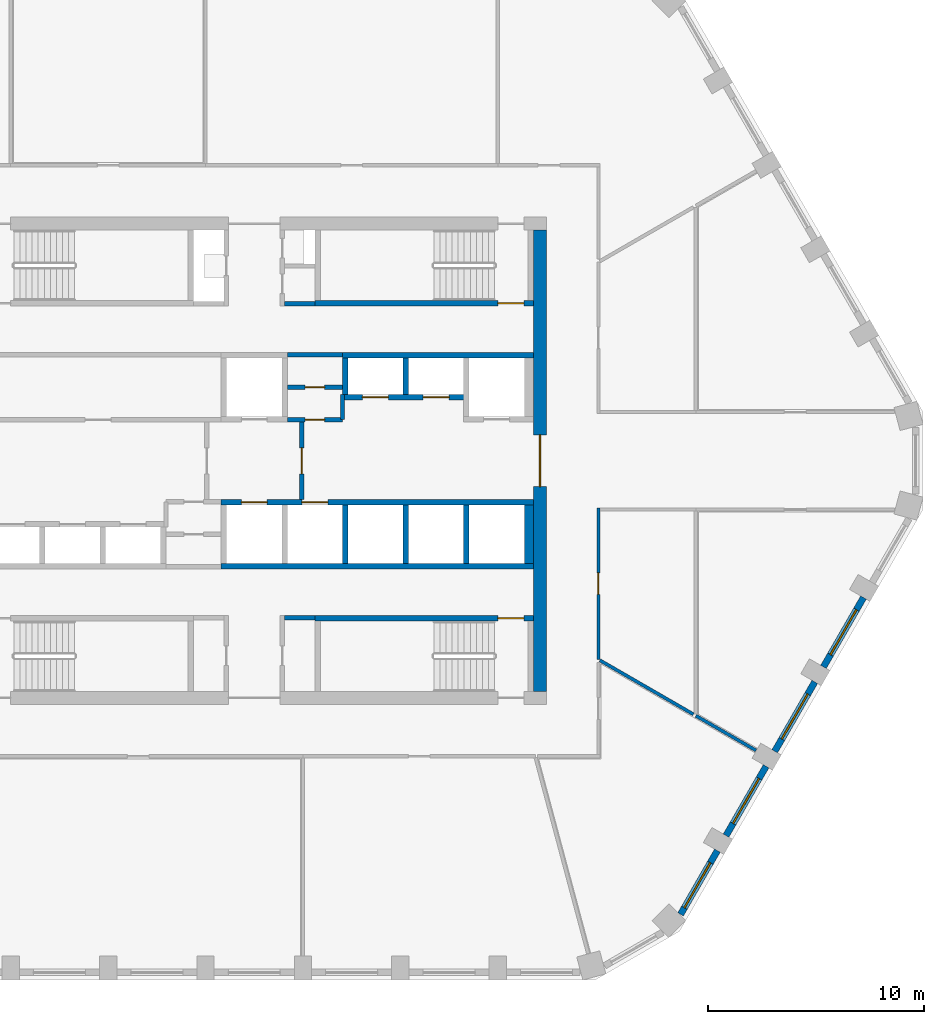
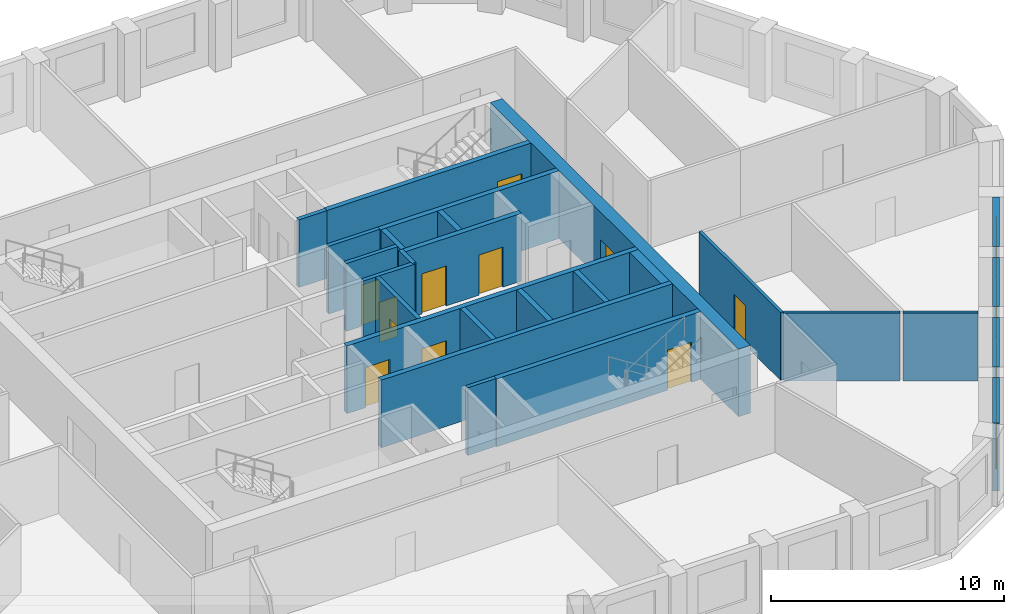
# One storey, part 4 of 11: 27 walls, 11 doors, 4 windows, 15 openings.
"""IFC4 building model written with IfcOpenShell, lengths in metres."""

from ifc_helpers import new_model, si_unit, direction, frame, frame_2d, origin, place, context, subcontext, project, spatial, polyline, rectangle, outline, extrude, material, layer, layer_set, type_object, element, fill, save


model = new_model("IFC4")

# Units and contexts
model_context = context("Model", 3, precision=1e-05, world=origin(), true_north=direction((0.0, 1.0)))
body_context = subcontext(model_context, "Body", "Model", "MODEL_VIEW")
ifc_project = project(units=[si_unit("LENGTHUNIT", "METRE"), si_unit("AREAUNIT", "SQUARE_METRE"), si_unit("VOLUMEUNIT", "CUBIC_METRE"), si_unit("PLANEANGLEUNIT", "RADIAN"), si_unit("MASSUNIT", "GRAM", prefix="KILO")], contexts=[model_context])

# Site, building, storey
site_placement = place(None, origin())
site = spatial("IfcSite", under=ifc_project, at=site_placement, CompositionType="ELEMENT")
building_placement = place(site_placement, origin())
building = spatial("IfcBuilding", under=site, at=building_placement, Name="Dhurran Vertical Campus", CompositionType="ELEMENT")
storey_placement = place(building_placement, frame((0.0, 0.0, 215.10009765625)))
storey = spatial("IfcBuildingStorey", under=building, at=storey_placement, Name="L53", CompositionType="ELEMENT", Elevation=215.10009765625)

# Wall, opening, window
ifc_material_1 = material(Name="Precast concrete C50/60", Category="concrete")
ifc_layer_1 = layer(ifc_material_1, 0.300048828125)
ifc_layer_set_1 = layer_set([ifc_layer_1], Name="Precast concrete C50/60")
wall_type_1 = type_object("IfcWallType", Name="Precast spandrel wall 300", PredefinedType="SOLIDWALL", material=ifc_layer_set_1)
wall_1_placement = place(storey_placement, frame((19.69580078125, -20.951171875, 0.0), z_axis=(0.0, 0.0, 1.0), x_axis=(0.500012868213, 0.866017974191, 0.0)))
wall_1 = element("IfcWall", 1, at=wall_1_placement, inside=storey, type_object=wall_type_1, Name="EW1 L53.08", PredefinedType="SOLIDWALL", context=body_context, shape_type="SweptSolid", body=[
    extrude(rectangle(XDim=3.39599609375, YDim=0.300048828125, at=frame_2d((1.697998046875, 0.0))), origin(), (0.0, 0.0, 1.0), 3.5498046875),
])
opening_1_placement = place(wall_1_placement, frame((0.346435546875, 0.0, 0.89990234375)))
opening_1 = element("IfcOpeningElement", 2, at=opening_1_placement, cuts=wall_1, Name="Opening WT1", PredefinedType="OPENING", context=body_context, shape_type="SweptSolid", body=[
    extrude(rectangle(XDim=2.39990234375, YDim=2.10009765625, at=frame_2d((1.199951171875, 1.050048828125))), frame((0.0, 0.159912109375, 0.0), z_axis=(0.0, -1.0, 0.0), x_axis=(1.0, 0.0, 0.0)), (0.0, 0.0, 1.0), 0.320068359375),
])
ifc_material_2 = material(Name="Aluminium frame with solar-control glass", Category="aluminium")
window_type = type_object("IfcWindowType", Name="Punched window 2400 x 2100", PartitioningType="SINGLE_PANEL", PredefinedType="WINDOW", material=ifc_material_2)
window_1_placement = place(opening_1_placement, origin())
window_1 = element("IfcWindow", 3, at=window_1_placement, inside=storey, type_object=window_type, Name="WT1 L53.08", OverallHeight=2.10009765625, OverallWidth=2.39990234375, PartitioningType="SINGLE_PANEL", PredefinedType="WINDOW", context=body_context, shape_type="SweptSolid", body=[
    extrude(rectangle(XDim=2.39990234375, YDim=2.10009765625, at=frame_2d((1.199951171875, 1.050048828125))), frame((0.0, 0.030029296875, 0.0), z_axis=(0.0, -1.0, 0.0), x_axis=(1.0, 0.0, 0.0)), (0.0, 0.0, 1.0), 0.06005859375),
])
fill(opening_1, window_1)

wall_2_placement = place(storey_placement, frame((21.794189453125, -17.316650390625, 0.0), z_axis=(0.0, 0.0, 1.0), x_axis=(0.500029062817, 0.866008623709, 0.0)))
wall_2 = element("IfcWall", 4, at=wall_2_placement, inside=storey, type_object=wall_type_1, Name="EW1 L53.09", PredefinedType="SOLIDWALL", context=body_context, shape_type="SweptSolid", body=[
    extrude(rectangle(XDim=3.698974609375, YDim=0.300048828125, at=frame_2d((1.849609375, 0.0))), origin(), (0.0, 0.0, 1.0), 3.5498046875),
])
opening_2_placement = place(wall_2_placement, frame((0.6494140625, 0.0, 0.89990234375)))
opening_2 = element("IfcOpeningElement", 5, at=opening_2_placement, cuts=wall_2, Name="Opening WT1", PredefinedType="OPENING", context=body_context, shape_type="SweptSolid", body=[
    extrude(rectangle(XDim=2.39990234375, YDim=2.10009765625, at=frame_2d((1.199951171875, 1.050048828125))), frame((0.0, 0.159912109375, 0.0), z_axis=(0.0, -1.0, 0.0), x_axis=(1.0, 0.0, 0.0)), (0.0, 0.0, 1.0), 0.320068359375),
])
window_2_placement = place(opening_2_placement, origin())
window_2 = element("IfcWindow", 6, at=window_2_placement, inside=storey, type_object=window_type, Name="WT1 L53.09", OverallHeight=2.10009765625, OverallWidth=2.39990234375, PartitioningType="SINGLE_PANEL", PredefinedType="WINDOW", context=body_context, shape_type="SweptSolid", body=[
    extrude(rectangle(XDim=2.39990234375, YDim=2.10009765625, at=frame_2d((1.199951171875, 1.050048828125))), frame((0.0, 0.030029296875, 0.0), z_axis=(0.0, -1.0, 0.0), x_axis=(1.0, 0.0, 0.0)), (0.0, 0.0, 1.0), 0.06005859375),
])
fill(opening_2, window_2)

wall_3_placement = place(storey_placement, frame((24.044189453125, -13.41943359375, 0.0), z_axis=(0.0, 0.0, 1.0), x_axis=(0.500029062817, 0.866008623709, 0.0)))
wall_3 = element("IfcWall", 7, at=wall_3_placement, inside=storey, type_object=wall_type_1, Name="EW1 L53.10", PredefinedType="SOLIDWALL", context=body_context, shape_type="SweptSolid", body=[
    extrude(rectangle(XDim=3.698974609375, YDim=0.300048828125, at=frame_2d((1.849609375, 0.0))), origin(), (0.0, 0.0, 1.0), 3.5498046875),
])
opening_3_placement = place(wall_3_placement, frame((0.6494140625, 0.0, 0.89990234375)))
opening_3 = element("IfcOpeningElement", 8, at=opening_3_placement, cuts=wall_3, Name="Opening WT1", PredefinedType="OPENING", context=body_context, shape_type="SweptSolid", body=[
    extrude(rectangle(XDim=2.39990234375, YDim=2.10009765625, at=frame_2d((1.199951171875, 1.050048828125))), frame((0.0, 0.159912109375, 0.0), z_axis=(0.0, -1.0, 0.0), x_axis=(1.0, 0.0, 0.0)), (0.0, 0.0, 1.0), 0.320068359375),
])
window_3_placement = place(opening_3_placement, origin())
window_3 = element("IfcWindow", 9, at=window_3_placement, inside=storey, type_object=window_type, Name="WT1 L53.10", OverallHeight=2.10009765625, OverallWidth=2.39990234375, PartitioningType="SINGLE_PANEL", PredefinedType="WINDOW", context=body_context, shape_type="SweptSolid", body=[
    extrude(rectangle(XDim=2.39990234375, YDim=2.10009765625, at=frame_2d((1.199951171875, 1.050048828125))), frame((0.0, 0.030029296875, 0.0), z_axis=(0.0, -1.0, 0.0), x_axis=(1.0, 0.0, 0.0)), (0.0, 0.0, 1.0), 0.06005859375),
])
fill(opening_3, window_3)

wall_4_placement = place(storey_placement, frame((26.294189453125, -9.5224609375, 0.0), z_axis=(0.0, 0.0, 1.0), x_axis=(0.500029062817, 0.866008623709, 0.0)))
wall_4 = element("IfcWall", 10, at=wall_4_placement, inside=storey, type_object=wall_type_1, Name="EW1 L53.11", PredefinedType="SOLIDWALL", context=body_context, shape_type="SweptSolid", body=[
    extrude(rectangle(XDim=3.698974609375, YDim=0.300048828125, at=frame_2d((1.849609375, 0.0))), origin(), (0.0, 0.0, 1.0), 3.5498046875),
])
opening_4_placement = place(wall_4_placement, frame((0.6494140625, 0.0, 0.89990234375)))
opening_4 = element("IfcOpeningElement", 11, at=opening_4_placement, cuts=wall_4, Name="Opening WT1", PredefinedType="OPENING", context=body_context, shape_type="SweptSolid", body=[
    extrude(rectangle(XDim=2.39990234375, YDim=2.10009765625, at=frame_2d((1.199951171875, 1.050048828125))), frame((0.0, 0.159912109375, 0.0), z_axis=(0.0, -1.0, 0.0), x_axis=(1.0, 0.0, 0.0)), (0.0, 0.0, 1.0), 0.320068359375),
])
window_4_placement = place(opening_4_placement, origin())
window_4 = element("IfcWindow", 12, at=window_4_placement, inside=storey, type_object=window_type, Name="WT1 L53.11", OverallHeight=2.10009765625, OverallWidth=2.39990234375, PartitioningType="SINGLE_PANEL", PredefinedType="WINDOW", context=body_context, shape_type="SweptSolid", body=[
    extrude(rectangle(XDim=2.39990234375, YDim=2.10009765625, at=frame_2d((1.199951171875, 1.050048828125))), frame((0.0, 0.030029296875, 0.0), z_axis=(0.0, -1.0, 0.0), x_axis=(1.0, 0.0, 0.0)), (0.0, 0.0, 1.0), 0.06005859375),
])
fill(opening_4, window_4)

# Wall, opening, door
ifc_material_3 = material(Name="Concrete C50/60", Category="concrete")
ifc_layer_2 = layer(ifc_material_3, 0.60009765625)
ifc_layer_set_2 = layer_set([ifc_layer_2], Name="Concrete C50/60")
wall_type_2 = type_object("IfcWallType", Name="co-CORE-WALL-C2-600", PredefinedType="SHEAR", material=ifc_layer_set_2)
wall_5_placement = place(storey_placement, frame((13.199951171875, -10.64990234375, 0.0), z_axis=(0.0, 0.0, 1.0), x_axis=(0.0, 1.0, 0.0)))
wall_5 = element("IfcWall", 13, at=wall_5_placement, inside=storey, type_object=wall_type_2, Name="Core wall E L53", PredefinedType="SHEAR", context=body_context, shape_type="SweptSolid", body=[
    extrude(rectangle(XDim=21.2998046875, YDim=0.60009765625, at=frame_2d((10.64990234375, 0.0))), origin(), (0.0, 0.0, 1.0), 3.5498046875),
])
opening_5_placement = place(wall_5_placement, frame((9.449951171875, 0.0, 0.0)))
opening_5 = element("IfcOpeningElement", 14, at=opening_5_placement, cuts=wall_5, Name="Opening CL2", PredefinedType="OPENING", context=body_context, shape_type="SweptSolid", body=[
    extrude(rectangle(XDim=2.39990234375, YDim=2.10009765625, at=frame_2d((1.199951171875, 1.050048828125))), frame((0.0, 0.31005859375, 0.0), z_axis=(0.0, -1.0, 0.0), x_axis=(1.0, 0.0, 0.0)), (0.0, 0.0, 1.0), 0.6201171875),
])
ifc_material_4 = material(Name="Fire-rated glazed door set")
door_type_1 = type_object("IfcDoorType", Name="co-D-LOBBY 2400x2100", OperationType="DOUBLE_DOOR_DOUBLE_SWING", PredefinedType="DOOR", material=ifc_material_4)
door_1_placement = place(opening_5_placement, origin())
door_1 = element("IfcDoor", 15, at=door_1_placement, inside=storey, type_object=door_type_1, Name="Lift lobby door E L53", OperationType="DOUBLE_DOOR_DOUBLE_SWING", OverallHeight=2.10009765625, OverallWidth=2.39990234375, PredefinedType="DOOR", context=body_context, shape_type="SweptSolid", body=[
    extrude(rectangle(XDim=2.39990234375, YDim=2.10009765625, at=frame_2d((1.199951171875, 1.050048828125))), frame((0.0, 0.02490234375, 0.0), z_axis=(0.0, -1.0, 0.0), x_axis=(1.0, 0.0, 0.0)), (0.0, 0.0, 1.0), 0.050048828125),
])
fill(opening_5, door_1)

ifc_material_5 = material(Name="Fire-rated masonry blockwork", Category="masonry")
ifc_layer_3 = layer(ifc_material_5, 0.199951171875)
ifc_layer_set_3 = layer_set([ifc_layer_3], Name="Fire-rated masonry blockwork")
wall_type_3 = type_object("IfcWallType", Name="co-FIRE-PARTITION-200", PredefinedType="PARTITIONING", material=ifc_layer_set_3)
wall_6_placement = place(storey_placement, frame((2.199951171875, -1.800048828125, 0.0), z_axis=(0.0, 0.0, 1.0), x_axis=(0.0, 1.0, 0.0)))
wall_6 = element("IfcWall", 16, at=wall_6_placement, inside=storey, type_object=wall_type_3, Name="Firefighting lobby wall E L53", PredefinedType="PARTITIONING", context=body_context, shape_type="SweptSolid", body=[
    extrude(rectangle(XDim=3.60009765625, YDim=0.199951171875, at=frame_2d((1.800048828125, 0.0))), origin(), (0.0, 0.0, 1.0), 3.5498046875),
])
opening_6_placement = place(wall_6_placement, frame((1.199951171875, 0.0, 0.0)))
opening_6 = element("IfcOpeningElement", 17, at=opening_6_placement, cuts=wall_6, Name="Opening FL2", PredefinedType="OPENING", context=body_context, shape_type="SweptSolid", body=[
    extrude(rectangle(XDim=1.199951171875, YDim=2.10009765625, at=frame_2d((0.60009765625, 1.050048828125))), frame((0.0, 0.10986328125, 0.0), z_axis=(0.0, -1.0, 0.0), x_axis=(1.0, 0.0, 0.0)), (0.0, 0.0, 1.0), 0.219970703125),
])
ifc_material_6 = material(Name="Fire-rated steel door set", Category="steel")
door_type_2 = type_object("IfcDoorType", Name="co-D-FFLOBBY 1200x2100", OperationType="SINGLE_SWING_LEFT", PredefinedType="DOOR", material=ifc_material_6)
door_2_placement = place(opening_6_placement, origin())
door_2 = element("IfcDoor", 18, at=door_2_placement, inside=storey, type_object=door_type_2, Name="Firefighting lobby door E L53", OperationType="SINGLE_SWING_LEFT", OverallHeight=2.10009765625, OverallWidth=1.199951171875, PredefinedType="DOOR", context=body_context, shape_type="SweptSolid", body=[
    extrude(rectangle(XDim=1.199951171875, YDim=2.10009765625, at=frame_2d((0.60009765625, 1.050048828125))), frame((0.0, 0.02490234375, 0.0), z_axis=(0.0, -1.0, 0.0), x_axis=(1.0, 0.0, 0.0)), (0.0, 0.0, 1.0), 0.050048828125),
])
fill(opening_6, door_2)

# Walls
for number, where, z_axis, x_axis, name in (
    (19, (1.39990234375, 7.25, 0.0), (0.0, 0.0, 1.0), (1.0, 0.0, 0.0), "Core partition sl-NE-S L53"),
    (20, (1.39990234375, -7.25, 0.0), (0.0, 0.0, 1.0), (1.0, 0.0, 0.0), "Core partition sl-SE-S L53"),
):
    element("IfcWall", number, at=place(storey_placement, frame(where, z_axis=z_axis, x_axis=x_axis)), inside=storey, type_object=wall_type_3, Name=name, PredefinedType="PARTITIONING", context=body_context, shape_type="SweptSolid", body=[
        extrude(rectangle(XDim=1.400146484375, YDim=0.199951171875, at=frame_2d((0.7001953125, 0.0))), origin(), (0.0, 0.0, 1.0), 3.5498046875),
    ])

# Wall, opening, door
wall_7_placement = place(storey_placement, frame((1.52490234375, 3.39990234375, 0.0), z_axis=(0.0, 0.0, 1.0), x_axis=(1.0, 0.0, 0.0)))
wall_7 = element("IfcWall", 21, at=wall_7_placement, inside=storey, type_object=wall_type_3, Name="Core partition fr-N1-c L53", PredefinedType="PARTITIONING", context=body_context, shape_type="SweptSolid", body=[
    extrude(rectangle(XDim=2.550048828125, YDim=0.199951171875, at=frame_2d((1.27490234375, 0.0))), origin(), (0.0, 0.0, 1.0), 3.5498046875),
])
opening_7_placement = place(wall_7_placement, frame((0.824951171875, 0.0, 0.0)))
opening_7 = element("IfcOpeningElement", 22, at=opening_7_placement, cuts=wall_7, Name="Opening T15-C7", PredefinedType="OPENING", context=body_context, shape_type="SweptSolid", body=[
    extrude(rectangle(XDim=0.89990234375, YDim=2.10009765625, at=frame_2d((0.449951171875, 1.050048828125))), frame((0.0, 0.10986328125, 0.0), z_axis=(0.0, -1.0, 0.0), x_axis=(1.0, 0.0, 0.0)), (0.0, 0.0, 1.0), 0.219970703125),
])
ifc_material_7 = material(Name="Fire-rated timber door set", Category="wood")
door_type_3 = type_object("IfcDoorType", Name="co-D-ROOM 900x2100", OperationType="SINGLE_SWING_LEFT", PredefinedType="DOOR", material=ifc_material_7)
door_3_placement = place(opening_7_placement, origin())
door_3 = element("IfcDoor", 23, at=door_3_placement, inside=storey, type_object=door_type_3, Name="Communications room door L53", OperationType="SINGLE_SWING_LEFT", OverallHeight=2.10009765625, OverallWidth=0.89990234375, PredefinedType="DOOR", context=body_context, shape_type="SweptSolid", body=[
    extrude(rectangle(XDim=0.89990234375, YDim=2.10009765625, at=frame_2d((0.449951171875, 1.050048828125))), frame((0.0, 0.02490234375, 0.0), z_axis=(0.0, -1.0, 0.0), x_axis=(1.0, 0.0, 0.0)), (0.0, 0.0, 1.0), 0.050048828125),
])
fill(opening_7, door_3)

wall_8_placement = place(storey_placement, frame((1.52490234375, 1.89990234375, 0.0), z_axis=(0.0, 0.0, 1.0), x_axis=(1.0, 0.0, 0.0)))
wall_8 = element("IfcWall", 24, at=wall_8_placement, inside=storey, type_object=wall_type_3, Name="Core partition fr-N1-f L53", PredefinedType="PARTITIONING", context=body_context, shape_type="SweptSolid", body=[
    extrude(rectangle(XDim=2.550048828125, YDim=0.199951171875, at=frame_2d((1.27490234375, 0.0))), origin(), (0.0, 0.0, 1.0), 3.5498046875),
])
opening_8_placement = place(wall_8_placement, frame((0.824951171875, 0.0, 0.0)))
opening_8 = element("IfcOpeningElement", 25, at=opening_8_placement, cuts=wall_8, Name="Opening T15-C8", PredefinedType="OPENING", context=body_context, shape_type="SweptSolid", body=[
    extrude(rectangle(XDim=0.89990234375, YDim=2.10009765625, at=frame_2d((0.449951171875, 1.050048828125))), frame((0.0, 0.10986328125, 0.0), z_axis=(0.0, -1.0, 0.0), x_axis=(1.0, 0.0, 0.0)), (0.0, 0.0, 1.0), 0.219970703125),
])
door_4_placement = place(opening_8_placement, origin())
door_4 = element("IfcDoor", 26, at=door_4_placement, inside=storey, type_object=door_type_3, Name="Server room door L53", OperationType="SINGLE_SWING_LEFT", OverallHeight=2.10009765625, OverallWidth=0.89990234375, PredefinedType="DOOR", context=body_context, shape_type="SweptSolid", body=[
    extrude(rectangle(XDim=0.89990234375, YDim=2.10009765625, at=frame_2d((0.449951171875, 1.050048828125))), frame((0.0, 0.02490234375, 0.0), z_axis=(0.0, -1.0, 0.0), x_axis=(1.0, 0.0, 0.0)), (0.0, 0.0, 1.0), 0.050048828125),
])
fill(opening_8, door_4)

# Walls
wall_9_placement = place(storey_placement, frame((1.52490234375, 4.89990234375, 0.0), z_axis=(0.0, 0.0, 1.0), x_axis=(1.0, 0.0, 0.0)))
element("IfcWall", 27, at=wall_9_placement, inside=storey, type_object=wall_type_3, Name="Core partition fr-N1-b L53", PredefinedType="PARTITIONING", context=body_context, shape_type="SweptSolid", body=[
    extrude(rectangle(XDim=2.550048828125, YDim=0.199951171875, at=frame_2d((1.27490234375, 0.0))), origin(), (0.0, 0.0, 1.0), 3.5498046875),
])
wall_10_placement = place(storey_placement, frame((4.074951171875, 1.89990234375, 0.0), z_axis=(0.0, 0.0, 1.0), x_axis=(0.0, 1.0, 0.0)))
element("IfcWall", 28, at=wall_10_placement, inside=storey, type_object=wall_type_3, Name="Core partition fr-N1-n1 L53", PredefinedType="PARTITIONING", context=body_context, shape_type="SweptSolid", body=[
    extrude(rectangle(XDim=1.150146484375, YDim=0.199951171875, at=frame_2d((0.5751953125, 0.0))), origin(), (0.0, 0.0, 1.0), 3.5498046875),
])

# Wall, openings, doors
ifc_material_8 = material(Name="Concrete C50/60", Category="concrete")
ifc_layer_4 = layer(ifc_material_8, 0.25)
ifc_layer_set_4 = layer_set([ifc_layer_4], Name="Concrete C50/60")
wall_type_4 = type_object("IfcWallType", Name="co-SHAFT-FRONT-250", PredefinedType="SHEAR", material=ifc_layer_set_4)
wall_11_placement = place(storey_placement, frame((4.074951171875, 2.925048828125, 0.0), z_axis=(0.0, 0.0, 1.0), x_axis=(1.0, 0.0, 0.0)))
wall_11 = element("IfcWall", 29, at=wall_11_placement, inside=storey, type_object=wall_type_4, Name="Lift landing wall N L53", PredefinedType="SHEAR", context=body_context, shape_type="SweptSolid", body=[
    extrude(rectangle(XDim=5.85009765625, YDim=0.25, at=frame_2d((2.925048828125, 0.0))), origin(), (0.0, 0.0, 1.0), 3.5498046875),
])
opening_9_placement = place(wall_11_placement, frame((0.925048828125, 0.0, 0.0)))
opening_9 = element("IfcOpeningElement", 30, at=opening_9_placement, cuts=wall_11, Name="Opening LD", PredefinedType="OPENING", context=body_context, shape_type="SweptSolid", body=[
    extrude(rectangle(XDim=1.199951171875, YDim=2.10009765625, at=frame_2d((0.60009765625, 1.050048828125))), frame((0.0, 0.135009765625, 0.0), z_axis=(0.0, -1.0, 0.0), x_axis=(1.0, 0.0, 0.0)), (0.0, 0.0, 1.0), 0.27001953125),
])
opening_10_placement = place(wall_11_placement, frame((3.72509765625, 0.0, 0.0)))
opening_10 = element("IfcOpeningElement", 31, at=opening_10_placement, cuts=wall_11, Name="Opening LD", PredefinedType="OPENING", context=body_context, shape_type="SweptSolid", body=[
    extrude(rectangle(XDim=1.199951171875, YDim=2.10009765625, at=frame_2d((0.60009765625, 1.050048828125))), frame((0.0, 0.135009765625, 0.0), z_axis=(0.0, -1.0, 0.0), x_axis=(1.0, 0.0, 0.0)), (0.0, 0.0, 1.0), 0.27001953125),
])
ifc_material_9 = material(Name="Stainless steel landing door", Category="steel")
door_type_4 = type_object("IfcDoorType", Name="co-D-LANDING 1200x2100", OperationType="DOUBLE_DOOR_SLIDING", PredefinedType="DOOR", material=ifc_material_9)
door_5_placement = place(opening_9_placement, origin())
door_5 = element("IfcDoor", 32, at=door_5_placement, inside=storey, type_object=door_type_4, Name="Landing door MR1 L53", OperationType="DOUBLE_DOOR_SLIDING", OverallHeight=2.10009765625, OverallWidth=1.199951171875, PredefinedType="DOOR", context=body_context, shape_type="SweptSolid", body=[
    extrude(rectangle(XDim=1.199951171875, YDim=2.10009765625, at=frame_2d((0.60009765625, 1.050048828125))), frame((0.0, 0.02490234375, 0.0), z_axis=(0.0, -1.0, 0.0), x_axis=(1.0, 0.0, 0.0)), (0.0, 0.0, 1.0), 0.050048828125),
])
fill(opening_9, door_5)
door_6_placement = place(opening_10_placement, origin())
door_6 = element("IfcDoor", 33, at=door_6_placement, inside=storey, type_object=door_type_4, Name="Landing door MR2 L53", OperationType="DOUBLE_DOOR_SLIDING", OverallHeight=2.10009765625, OverallWidth=1.199951171875, PredefinedType="DOOR", context=body_context, shape_type="SweptSolid", body=[
    extrude(rectangle(XDim=1.199951171875, YDim=2.10009765625, at=frame_2d((0.60009765625, 1.050048828125))), frame((0.0, 0.02490234375, 0.0), z_axis=(0.0, -1.0, 0.0), x_axis=(1.0, 0.0, 0.0)), (0.0, 0.0, 1.0), 0.050048828125),
])
fill(opening_10, door_6)

wall_12_placement = place(storey_placement, frame((-1.52490234375, -1.925048828125, 0.0), z_axis=(0.0, 0.0, 1.0), x_axis=(1.0, 0.0, 0.0)))
wall_12 = element("IfcWall", 34, at=wall_12_placement, inside=storey, type_object=wall_type_4, Name="Lift landing wall S L53", PredefinedType="SHEAR", context=body_context, shape_type="SweptSolid", body=[
    extrude(rectangle(XDim=14.4248046875, YDim=0.25, at=frame_2d((7.21240234375, 0.0))), origin(), (0.0, 0.0, 1.0), 3.5498046875),
])
opening_11_placement = place(wall_12_placement, frame((0.925048828125, 0.0, 0.0)))
opening_11 = element("IfcOpeningElement", 35, at=opening_11_placement, cuts=wall_12, Name="Opening LD", PredefinedType="OPENING", context=body_context, shape_type="SweptSolid", body=[
    extrude(rectangle(XDim=1.199951171875, YDim=2.10009765625, at=frame_2d((0.60009765625, 1.050048828125))), frame((0.0, 0.135009765625, 0.0), z_axis=(0.0, -1.0, 0.0), x_axis=(1.0, 0.0, 0.0)), (0.0, 0.0, 1.0), 0.27001953125),
])
opening_12_placement = place(wall_12_placement, frame((3.72509765625, 0.0, 0.0)))
opening_12 = element("IfcOpeningElement", 36, at=opening_12_placement, cuts=wall_12, Name="Opening LD", PredefinedType="OPENING", context=body_context, shape_type="SweptSolid", body=[
    extrude(rectangle(XDim=1.199951171875, YDim=2.10009765625, at=frame_2d((0.60009765625, 1.050048828125))), frame((0.0, 0.135009765625, 0.0), z_axis=(0.0, -1.0, 0.0), x_axis=(1.0, 0.0, 0.0)), (0.0, 0.0, 1.0), 0.27001953125),
])
door_7_placement = place(opening_11_placement, origin())
door_7 = element("IfcDoor", 37, at=door_7_placement, inside=storey, type_object=door_type_4, Name="Landing door FF2 L53", OperationType="DOUBLE_DOOR_SLIDING", OverallHeight=2.10009765625, OverallWidth=1.199951171875, PredefinedType="DOOR", context=body_context, shape_type="SweptSolid", body=[
    extrude(rectangle(XDim=1.199951171875, YDim=2.10009765625, at=frame_2d((0.60009765625, 1.050048828125))), frame((0.0, 0.02490234375, 0.0), z_axis=(0.0, -1.0, 0.0), x_axis=(1.0, 0.0, 0.0)), (0.0, 0.0, 1.0), 0.050048828125),
])
fill(opening_11, door_7)
door_8_placement = place(opening_12_placement, origin())
door_8 = element("IfcDoor", 38, at=door_8_placement, inside=storey, type_object=door_type_4, Name="Landing door SV1 L53", OperationType="DOUBLE_DOOR_SLIDING", OverallHeight=2.10009765625, OverallWidth=1.199951171875, PredefinedType="DOOR", context=body_context, shape_type="SweptSolid", body=[
    extrude(rectangle(XDim=1.199951171875, YDim=2.10009765625, at=frame_2d((0.60009765625, 1.050048828125))), frame((0.0, 0.02490234375, 0.0), z_axis=(0.0, -1.0, 0.0), x_axis=(1.0, 0.0, 0.0)), (0.0, 0.0, 1.0), 0.050048828125),
])
fill(opening_12, door_8)

# Walls
ifc_material_10 = material(Name="Concrete C50/60", Category="concrete")
ifc_layer_5 = layer(ifc_material_10, 0.25)
ifc_layer_set_5 = layer_set([ifc_layer_5], Name="Concrete C50/60")
wall_type_5 = type_object("IfcWallType", Name="co-SHAFT-MASS-250", PredefinedType="SHEAR", material=ifc_layer_set_5)
wall_13_placement = place(storey_placement, origin())
element("IfcWall", 39, at=wall_13_placement, inside=storey, type_object=wall_type_5, Name="Lift shaft wall N L53 2", PredefinedType="SHEAR", context=body_context, shape_type="SweptSolid", body=[
    extrude(outline(polyline([(4.074951171875, 4.75), (12.89990234375, 4.75), (12.89990234375, 5.0), (4.074951171875, 5.0), (4.074951171875, 4.75)])), origin(), (0.0, 0.0, 1.0), 3.5498046875),
])
wall_14_placement = place(storey_placement, origin())
element("IfcWall", 40, at=wall_14_placement, inside=storey, type_object=wall_type_5, Name="Lift shaft wall N L53 7", PredefinedType="SHEAR", context=body_context, shape_type="SweptSolid", body=[
    extrude(outline(polyline([(4.074951171875, 3.050048828125), (4.324951171875, 3.050048828125), (4.324951171875, 4.75), (4.074951171875, 4.75), (4.074951171875, 3.050048828125)])), origin(), (0.0, 0.0, 1.0), 3.5498046875),
])
wall_15_placement = place(storey_placement, origin())
element("IfcWall", 41, at=wall_15_placement, inside=storey, type_object=wall_type_5, Name="Lift shaft wall N L53 8", PredefinedType="SHEAR", context=body_context, shape_type="SweptSolid", body=[
    extrude(outline(polyline([(6.875, 3.050048828125), (7.125, 3.050048828125), (7.125, 4.75), (6.875, 4.75), (6.875, 3.050048828125)])), origin(), (0.0, 0.0, 1.0), 3.5498046875),
])
wall_16_placement = place(storey_placement, origin())
element("IfcWall", 42, at=wall_16_placement, inside=storey, type_object=wall_type_5, Name="Lift shaft wall S L53 2", PredefinedType="SHEAR", context=body_context, shape_type="SweptSolid", body=[
    extrude(outline(polyline([(-1.52490234375, -5.0), (12.89990234375, -5.0), (12.89990234375, -4.75), (-1.52490234375, -4.75), (-1.52490234375, -5.0)])), origin(), (0.0, 0.0, 1.0), 3.5498046875),
])
wall_17_placement = place(storey_placement, origin())
element("IfcWall", 43, at=wall_17_placement, inside=storey, type_object=wall_type_5, Name="Lift shaft wall S L53 9", PredefinedType="SHEAR", context=body_context, shape_type="SweptSolid", body=[
    extrude(outline(polyline([(4.074951171875, -4.75), (4.324951171875, -4.75), (4.324951171875, -2.050048828125), (4.074951171875, -2.050048828125), (4.074951171875, -4.75)])), origin(), (0.0, 0.0, 1.0), 3.5498046875),
])
wall_18_placement = place(storey_placement, origin())
element("IfcWall", 44, at=wall_18_placement, inside=storey, type_object=wall_type_5, Name="Lift shaft wall S L53 10", PredefinedType="SHEAR", context=body_context, shape_type="SweptSolid", body=[
    extrude(outline(polyline([(6.875, -4.75), (7.125, -4.75), (7.125, -2.050048828125), (6.875, -2.050048828125), (6.875, -4.75)])), origin(), (0.0, 0.0, 1.0), 3.5498046875),
])
wall_19_placement = place(storey_placement, origin())
element("IfcWall", 45, at=wall_19_placement, inside=storey, type_object=wall_type_5, Name="Lift shaft wall S L53 11", PredefinedType="SHEAR", context=body_context, shape_type="SweptSolid", body=[
    extrude(outline(polyline([(9.675048828125, -4.75), (9.925048828125, -4.75), (9.925048828125, -2.050048828125), (9.675048828125, -2.050048828125), (9.675048828125, -4.75)])), origin(), (0.0, 0.0, 1.0), 3.5498046875),
])
wall_20_placement = place(storey_placement, origin())
element("IfcWall", 46, at=wall_20_placement, inside=storey, type_object=wall_type_5, Name="Lift shaft wall S L53 12", PredefinedType="SHEAR", context=body_context, shape_type="SweptSolid", body=[
    extrude(outline(polyline([(12.47509765625, -4.75), (12.89990234375, -4.75), (12.89990234375, -2.050048828125), (12.47509765625, -2.050048828125), (12.47509765625, -4.75)])), origin(), (0.0, 0.0, 1.0), 3.5498046875),
])

# Wall, opening, door
ifc_material_11 = material(Name="Concrete C40/50", Category="concrete")
ifc_layer_6 = layer(ifc_material_11, 0.25)
ifc_layer_set_6 = layer_set([ifc_layer_6], Name="Concrete C40/50")
wall_type_6 = type_object("IfcWallType", Name="co-STAIR-WALL-250", PredefinedType="SHEAR", material=ifc_layer_set_6)
wall_21_placement = place(storey_placement, frame((2.800048828125, 7.27490234375, 0.0), z_axis=(0.0, 0.0, 1.0), x_axis=(1.0, 0.0, 0.0)))
wall_21 = element("IfcWall", 47, at=wall_21_placement, inside=storey, type_object=wall_type_6, Name="Stair ST2 enclosure wall L53", PredefinedType="SHEAR", context=body_context, shape_type="SweptSolid", body=[
    extrude(rectangle(XDim=10.099853515625, YDim=0.25, at=frame_2d((5.0498046875, 0.0))), origin(), (0.0, 0.0, 1.0), 3.5498046875),
])
opening_13_placement = place(wall_21_placement, frame((8.449951171875, 0.0, 0.0)))
opening_13 = element("IfcOpeningElement", 48, at=opening_13_placement, cuts=wall_21, Name="Opening SD2", PredefinedType="OPENING", context=body_context, shape_type="SweptSolid", body=[
    extrude(rectangle(XDim=1.199951171875, YDim=2.10009765625, at=frame_2d((0.60009765625, 1.050048828125))), frame((0.0, 0.135009765625, 0.0), z_axis=(0.0, -1.0, 0.0), x_axis=(1.0, 0.0, 0.0)), (0.0, 0.0, 1.0), 0.27001953125),
])
ifc_material_12 = material(Name="Fire-rated steel door set", Category="steel")
door_type_5 = type_object("IfcDoorType", Name="co-D-STAIR 1200x2100", OperationType="SINGLE_SWING_LEFT", PredefinedType="DOOR", material=ifc_material_12)
door_9_placement = place(opening_13_placement, origin())
door_9 = element("IfcDoor", 49, at=door_9_placement, inside=storey, type_object=door_type_5, Name="Stair ST2 door L53", OperationType="SINGLE_SWING_LEFT", OverallHeight=2.10009765625, OverallWidth=1.199951171875, PredefinedType="DOOR", context=body_context, shape_type="SweptSolid", body=[
    extrude(rectangle(XDim=1.199951171875, YDim=2.10009765625, at=frame_2d((0.60009765625, 1.050048828125))), frame((0.0, 0.02490234375, 0.0), z_axis=(0.0, -1.0, 0.0), x_axis=(1.0, 0.0, 0.0)), (0.0, 0.0, 1.0), 0.050048828125),
])
fill(opening_13, door_9)

wall_22_placement = place(storey_placement, frame((2.800048828125, -7.27490234375, 0.0), z_axis=(0.0, 0.0, 1.0), x_axis=(1.0, 0.0, 0.0)))
wall_22 = element("IfcWall", 50, at=wall_22_placement, inside=storey, type_object=wall_type_6, Name="Stair ST4 enclosure wall L53", PredefinedType="SHEAR", context=body_context, shape_type="SweptSolid", body=[
    extrude(rectangle(XDim=10.099853515625, YDim=0.25, at=frame_2d((5.0498046875, 0.0))), origin(), (0.0, 0.0, 1.0), 3.5498046875),
])
opening_14_placement = place(wall_22_placement, frame((8.449951171875, 0.0, 0.0)))
opening_14 = element("IfcOpeningElement", 51, at=opening_14_placement, cuts=wall_22, Name="Opening SD4", PredefinedType="OPENING", context=body_context, shape_type="SweptSolid", body=[
    extrude(rectangle(XDim=1.199951171875, YDim=2.10009765625, at=frame_2d((0.60009765625, 1.050048828125))), frame((0.0, 0.135009765625, 0.0), z_axis=(0.0, -1.0, 0.0), x_axis=(1.0, 0.0, 0.0)), (0.0, 0.0, 1.0), 0.27001953125),
])
door_10_placement = place(opening_14_placement, origin())
door_10 = element("IfcDoor", 52, at=door_10_placement, inside=storey, type_object=door_type_5, Name="Stair ST4 door L53", OperationType="SINGLE_SWING_LEFT", OverallHeight=2.10009765625, OverallWidth=1.199951171875, PredefinedType="DOOR", context=body_context, shape_type="SweptSolid", body=[
    extrude(rectangle(XDim=1.199951171875, YDim=2.10009765625, at=frame_2d((0.60009765625, 1.050048828125))), frame((0.0, 0.02490234375, 0.0), z_axis=(0.0, -1.0, 0.0), x_axis=(1.0, 0.0, 0.0)), (0.0, 0.0, 1.0), 0.050048828125),
])
fill(opening_14, door_10)

ifc_material_13 = material(Name="Gypsum board corridor wall on steel studs", Category="steel")
ifc_layer_7 = layer(ifc_material_13, 0.14990234375)
ifc_layer_set_7 = layer_set([ifc_layer_7], Name="Gypsum board corridor wall on steel studs")
wall_type_7 = type_object("IfcWallType", Name="fl-CW-150 corridor wall", PredefinedType="PARTITIONING", material=ifc_layer_set_7)
wall_23_placement = place(storey_placement, frame((15.89990234375, -9.179931640625, 0.0), z_axis=(0.0, 0.0, 1.0), x_axis=(0.0, 1.0, 0.0)))
wall_23 = element("IfcWall", 53, at=wall_23_placement, inside=storey, type_object=wall_type_7, Name="Partition 53-34", PredefinedType="PARTITIONING", context=body_context, shape_type="SweptSolid", body=[
    extrude(rectangle(XDim=7.0048828125, YDim=0.14990234375, at=frame_2d((3.50244140625, 0.0))), origin(), (0.0, 0.0, 1.0), 3.5498046875),
])
opening_15_placement = place(wall_23_placement, frame((3.00244140625, 0.0, 0.0)))
opening_15 = element("IfcOpeningElement", 54, at=opening_15_placement, cuts=wall_23, Name="Opening T15.14", PredefinedType="OPENING", context=body_context, shape_type="SweptSolid", body=[
    extrude(rectangle(XDim=1.0, YDim=2.10009765625, at=frame_2d((0.5, 1.050048828125))), frame((0.0, 0.0849609375, 0.0), z_axis=(0.0, -1.0, 0.0), x_axis=(1.0, 0.0, 0.0)), (0.0, 0.0, 1.0), 0.169921875),
])
ifc_material_14 = material(Name="Solid-core timber door set, fire-rated", Category="wood")
door_type_6 = type_object("IfcDoorType", Name="fl-D-1000x2100", OperationType="SINGLE_SWING_LEFT", PredefinedType="DOOR", material=ifc_material_14)
door_11_placement = place(opening_15_placement, origin())
door_11 = element("IfcDoor", 55, at=door_11_placement, inside=storey, type_object=door_type_6, Name="Door 53.14", OperationType="SINGLE_SWING_RIGHT", OverallHeight=2.10009765625, OverallWidth=1.0, PredefinedType="DOOR", context=body_context, shape_type="SweptSolid", body=[
    extrude(rectangle(XDim=1.0, YDim=2.10009765625, at=frame_2d((0.5, 1.050048828125))), frame((0.0, 0.02490234375, 0.0), z_axis=(0.0, -1.0, 0.0), x_axis=(1.0, 0.0, 0.0)), (0.0, 0.0, 1.0), 0.050048828125),
])
fill(opening_15, door_11)

# Walls
ifc_material_15 = material(Name="Gypsum board partition on steel studs", Category="steel")
ifc_layer_8 = layer(ifc_material_15, 0.14990234375)
ifc_layer_set_8 = layer_set([ifc_layer_8], Name="Gypsum board partition on steel studs")
wall_type_8 = type_object("IfcWallType", Name="fl-PW-150 fixed partition", PredefinedType="PARTITIONING", material=ifc_layer_set_8)
wall_24_placement = place(storey_placement, frame((15.965087890625, -9.217529296875, 0.0), z_axis=(0.0, 0.0, 1.0), x_axis=(0.866034070548, -0.499984988425, 0.0)))
element("IfcWall", 56, at=wall_24_placement, inside=storey, type_object=wall_type_8, Name="Partition 53-35", PredefinedType="PARTITIONING", context=body_context, shape_type="SweptSolid", body=[
    extrude(rectangle(XDim=4.990966796875, YDim=0.14990234375, at=frame_2d((2.49560546875, 0.0))), origin(), (0.0, 0.0, 1.0), 3.5498046875),
])
wall_25_placement = place(storey_placement, frame((20.39990234375, -11.778076171875, 0.0), z_axis=(0.0, 0.0, 1.0), x_axis=(0.866089241828, -0.499889412961, 0.0)))
element("IfcWall", 57, at=wall_25_placement, inside=storey, type_object=wall_type_8, Name="Partition 53-42", PredefinedType="PARTITIONING", context=body_context, shape_type="SweptSolid", body=[
    extrude(rectangle(XDim=3.206787109375, YDim=0.14990234375, at=frame_2d((1.603515625, 0.0))), origin(), (0.0, 0.0, 1.0), 3.5498046875),
])

save(model, "model.ifc")
